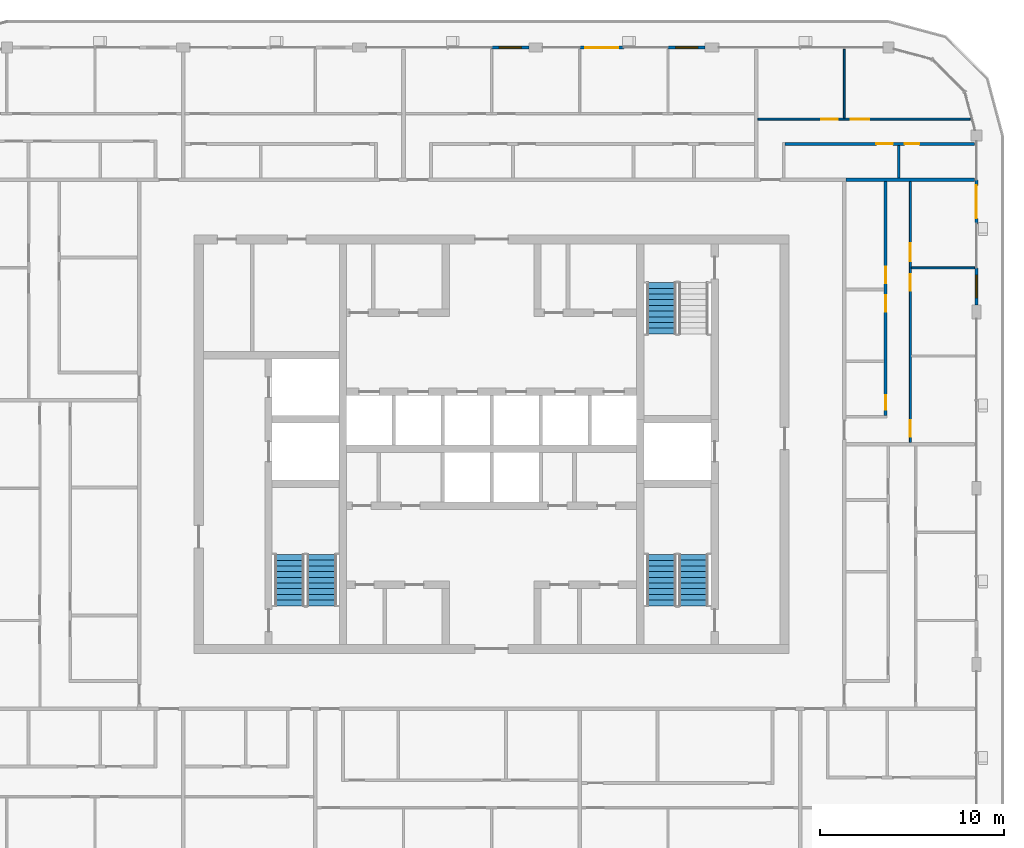
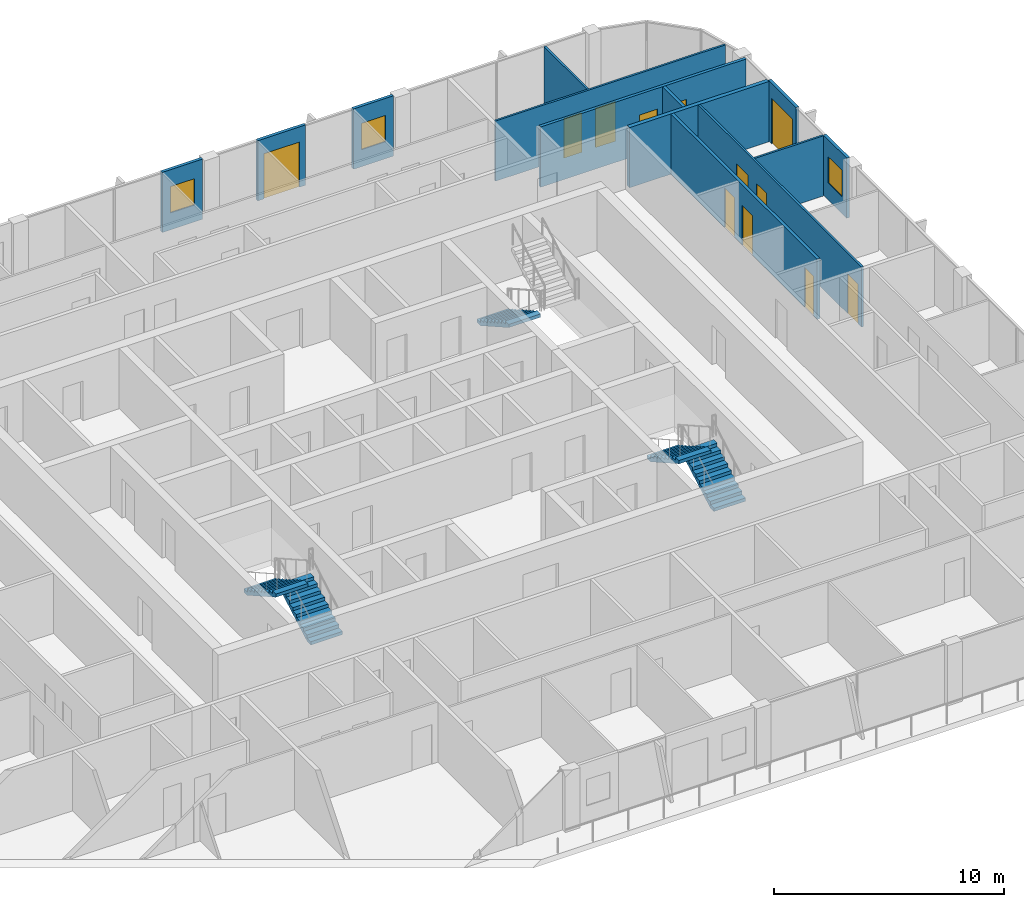
# One storey, part 15 of 22: 13 walls, 12 doors, 5 stair flights, 3 windows, 15 openings, 3 elements without a shape of their own.
"""IFC4 building model written with IfcOpenShell, lengths in metres."""

import ifcopenshell
import ifcopenshell.guid

model = None  # the IFC model being written
_history = None  # IfcOwnerHistory: only IFC2X3 demands one
_inside = {}  # id of a spatial element -> (the spatial element, [elements in it])
_under = {}  # id of a project, library or spatial element -> (it, [spatial elements below it])
_declared = {}  # id of a project -> (the project, [libraries it declares])
_typed = {}  # id of a type object -> (the type object, [elements of that type])
_made_of = {}  # id of a material, layer set ... -> (it, [elements and type objects made of it])


def new_model(schema):
    """Start an empty IFC model of exactly this schema.

    Asked for "IFC4X3", IfcOpenShell would pick the latest addendum, in which some entities
    have other attributes; the version numbers below select the first issue.
    IFC2X3 requires an IfcOwnerHistory on every rooted entity: one is made here for all.
    """
    global model, _history
    if schema == "IFC4X3":
        model = ifcopenshell.file(schema_version=(4, 3, 0, 0))
    else:
        model = ifcopenshell.file(schema=schema)
    _inside.clear()
    _under.clear()
    _declared.clear()
    _typed.clear()
    _made_of.clear()
    _history = None
    if model.schema == "IFC2X3":
        org = make("IfcOrganization", Name="unknown")
        user = make(
            "IfcPersonAndOrganization",
            ThePerson=make("IfcPerson", FamilyName="unknown"),
            TheOrganization=org,
        )
        app = make(
            "IfcApplication",
            ApplicationDeveloper=org,
            Version="unknown",
            ApplicationFullName="unknown",
            ApplicationIdentifier="unknown",
        )
        _history = make(
            "IfcOwnerHistory",
            OwningUser=user,
            OwningApplication=app,
            ChangeAction="ADDED",
            CreationDate=0,
        )
    return model


def make(cls, **values):
    """One entity of the class cls with the attributes given. An attribute that is None is left unset."""
    return model.create_entity(
        cls, **{name: value for name, value in values.items() if value is not None}
    )


def rooted(cls, **values):
    """An entity with a GlobalId (a new one), such as an element, a storey or a relation."""
    return make(cls, GlobalId=ifcopenshell.guid.new(), OwnerHistory=_history, **values)


def si_unit(unit_type, name, prefix=None):
    """IfcSIUnit, for example si_unit("LENGTHUNIT", "METRE", prefix="MILLI")."""
    return make("IfcSIUnit", UnitType=unit_type, Prefix=prefix, Name=name)


def assignment(units):
    """IfcUnitAssignment: the units of a project."""
    return None if units is None else make("IfcUnitAssignment", Units=units)


def point(xyz):
    """IfcCartesianPoint."""
    return None if xyz is None else make("IfcCartesianPoint", Coordinates=xyz)


def direction(xyz):
    """IfcDirection."""
    return None if xyz is None else make("IfcDirection", DirectionRatios=xyz)


def frame(location, z_axis=None, x_axis=None):
    """IfcAxis2Placement3D, a coordinate frame: its origin and axes. An axis left out is left unset."""
    return make(
        "IfcAxis2Placement3D",
        Location=point(location),
        Axis=direction(z_axis),
        RefDirection=direction(x_axis),
    )


def frame_2d(location, x_axis=None):
    """IfcAxis2Placement2D, a coordinate frame in the plane: its origin and x axis."""
    return make(
        "IfcAxis2Placement2D", Location=point(location), RefDirection=direction(x_axis)
    )


def origin():
    """The frame at (0, 0, 0) with its axes left unset."""
    return frame((0.0, 0.0, 0.0))


def place(relative_to, where):
    """IfcLocalPlacement: puts the frame where relative to a parent placement (None: the world)."""
    return make(
        "IfcLocalPlacement", PlacementRelTo=relative_to, RelativePlacement=where
    )


def context(
    kind, dimensions, precision=None, world=None, true_north=None, identifier=None
):
    """IfcGeometricRepresentationContext, for example the 3D "Model" context."""
    return make(
        "IfcGeometricRepresentationContext",
        ContextIdentifier=identifier,
        ContextType=kind,
        CoordinateSpaceDimension=dimensions,
        Precision=precision,
        WorldCoordinateSystem=world,
        TrueNorth=true_north,
    )


def subcontext(parent, identifier, kind, view, scale=None):
    """IfcGeometricRepresentationSubContext, for example "Body" below "Model"."""
    return make(
        "IfcGeometricRepresentationSubContext",
        ContextIdentifier=identifier,
        ContextType=kind,
        ParentContext=parent,
        TargetScale=scale,
        TargetView=view,
    )


def project(units=None, contexts=None):
    """IfcProject with its units and contexts."""
    return rooted(
        "IfcProject",
        Name="project",
        RepresentationContexts=contexts,
        UnitsInContext=assignment(units),
    )


def spatial(cls, under=None, at=None, **own):
    """A site, building, storey or space (cls), placed at a placement, below another one or the project."""
    s = rooted(cls, ObjectPlacement=at, **own)
    if under is not None:
        _under.setdefault(under.id(), (under, []))[1].append(s)
    return s


def polyline(points):
    """IfcPolyline through the points."""
    return make("IfcPolyline", Points=[point(p) for p in points])


def profile(cls, at=None, kind="AREA", **sizes):
    """A parametric profile (cls). Its sizes go by their IFC names, for example OverallWidth=200.0."""
    return make(cls, ProfileType=kind, Position=at, **sizes)


def rectangle(**sizes):
    """IfcRectangleProfileDef."""
    return profile("IfcRectangleProfileDef", **sizes)


def outline(outer, holes=None, kind="AREA"):
    """IfcArbitraryClosedProfileDef: a profile drawn as a closed curve; with holes, ...WithVoids."""
    if holes is None:
        return make("IfcArbitraryClosedProfileDef", ProfileType=kind, OuterCurve=outer)
    return make(
        "IfcArbitraryProfileDefWithVoids",
        ProfileType=kind,
        OuterCurve=outer,
        InnerCurves=holes,
    )


def extrude(swept, where, along, depth):
    """IfcExtrudedAreaSolid: the profile swept, set in the frame where, extruded along a direction by depth."""
    return make(
        "IfcExtrudedAreaSolid",
        SweptArea=swept,
        Position=where,
        ExtrudedDirection=direction(along),
        Depth=depth,
    )


def shape(context_of_items, identifier, shape_type, items):
    """IfcShapeRepresentation: the items that make up one representation, for example the "Body"."""
    return make(
        "IfcShapeRepresentation",
        ContextOfItems=context_of_items,
        RepresentationIdentifier=identifier,
        RepresentationType=shape_type,
        Items=items,
    )


def material(Name=None, Category=None):
    """IfcMaterial."""
    return make("IfcMaterial", Name=Name, Category=Category)


def layer(
    of_material, thickness, ventilated=None, Name=None, Category=None, Priority=None
):
    """IfcMaterialLayer: one layer of a wall or slab, of a material (None: an air gap)."""
    return make(
        "IfcMaterialLayer",
        Material=of_material,
        LayerThickness=thickness,
        IsVentilated=ventilated,
        Name=Name,
        Category=Category,
        Priority=Priority,
    )


def layer_set(layers, Name=None):
    """IfcMaterialLayerSet."""
    return make("IfcMaterialLayerSet", MaterialLayers=layers, LayerSetName=Name)


def made_of(thing, what):
    """Note that an element or type object is made of a material, layer set ...; save() writes the relation."""
    if what is not None:
        _made_of.setdefault(what.id(), (what, []))[1].append(thing)
    return thing


def type_object(cls, material=None, **own):
    """A type object (cls), such as IfcWallType, which elements share."""
    return made_of(rooted(cls, **own), material)


def element(
    cls,
    number,
    at=None,
    inside=None,
    cuts=None,
    type_object=None,
    material=None,
    context=None,
    identifier="Body",
    shape_type=None,
    held_by="IfcProductDefinitionShape",
    body=None,
    shapes=None,
    **own,
):
    """One element of the class cls, such as IfcWall. Its Tag is "e" and its number.

    at: its placement. inside: the storey or other place that contains it. cuts: it is an
    opening in that element (IfcRelVoidsElement). A single representation is given by context,
    identifier, shape_type and body (its items); several are given by shapes. held_by: the class
    of the entity that holds the representations. save() writes the other relations.
    """
    e = rooted(cls, Tag="e%d" % number, ObjectPlacement=at, **own)
    if body is not None:
        shapes = [shape(context, identifier, shape_type, body)]
    if shapes is not None:
        e.Representation = make(held_by, Representations=shapes)
    if inside is not None:
        _inside.setdefault(inside.id(), (inside, []))[1].append(e)
    if cuts is not None:
        rooted(
            "IfcRelVoidsElement", RelatingBuildingElement=cuts, RelatedOpeningElement=e
        )
    if type_object is not None:
        _typed.setdefault(type_object.id(), (type_object, []))[1].append(e)
    return made_of(e, material)


def fill(opening, filler):
    """IfcRelFillsElement: the door or window that sits in an opening."""
    return rooted(
        "IfcRelFillsElement",
        RelatingOpeningElement=opening,
        RelatedBuildingElement=filler,
    )


def aggregate(whole, parts):
    """IfcRelAggregates: a whole, such as a stair, and the parts it consists of."""
    return rooted("IfcRelAggregates", RelatingObject=whole, RelatedObjects=parts)


def save(model, path):
    """Write the relations noted so far, then the file.

    IfcRelAggregates (storeys below a building ...), IfcRelContainedInSpatialStructure (elements
    in a storey), IfcRelDefinesByType, IfcRelAssociatesMaterial and IfcRelDeclares: one each for
    every whole, place, type object, material and project.
    """
    for whole, parts in _under.values():
        aggregate(whole, parts)
    for where, things in _inside.values():
        rooted(
            "IfcRelContainedInSpatialStructure",
            RelatedElements=things,
            RelatingStructure=where,
        )
    for kind, things in _typed.values():
        rooted("IfcRelDefinesByType", RelatedObjects=things, RelatingType=kind)
    for what, things in _made_of.values():
        rooted("IfcRelAssociatesMaterial", RelatedObjects=things, RelatingMaterial=what)
    for by, libraries in _declared.values():
        rooted("IfcRelDeclares", RelatingContext=by, RelatedDefinitions=libraries)
    model.write(path)


model = new_model("IFC4")

# Units and contexts
model_context = context("Model", 3, precision=1e-05, world=origin(), true_north=direction((0.0, 1.0)))
body_context = subcontext(model_context, "Body", "Model", "MODEL_VIEW")
ifc_project = project(units=[si_unit("LENGTHUNIT", "METRE"), si_unit("AREAUNIT", "SQUARE_METRE"), si_unit("VOLUMEUNIT", "CUBIC_METRE"), si_unit("PLANEANGLEUNIT", "RADIAN"), si_unit("MASSUNIT", "GRAM", prefix="KILO")], contexts=[model_context])

# Site, building, storey
site_placement = place(None, origin())
site = spatial("IfcSite", under=ifc_project, at=site_placement, CompositionType="ELEMENT")
building_placement = place(site_placement, origin())
building = spatial("IfcBuilding", under=site, at=building_placement, Name="Madar Terraces", CompositionType="ELEMENT")
storey_placement = place(building_placement, frame((0.0, 0.0, 279.10009765625)))
storey = spatial("IfcBuildingStorey", under=building, at=storey_placement, Name="L73", CompositionType="ELEMENT", Elevation=279.10009765625)

# Wall, opening, window
ifc_material_1 = material(Name="Aluminium composite panel, black, over insulated backing", Category="aluminium")
ifc_layer_1 = layer(ifc_material_1, 0.14990234375)
ifc_layer_set_1 = layer_set([ifc_layer_1], Name="Facade bay panel 150")
wall_type_1 = type_object("IfcWallType", Name="Facade bay panel 150", PredefinedType="SOLIDWALL", material=ifc_layer_set_1)
wall_1_placement = place(storey_placement, frame((57.60009765625, 33.97509765625, 0.0), z_axis=(0.0, 0.0, 1.0), x_axis=(0.0, 1.0, 0.0)))
wall_1 = element("IfcWall", 1, at=wall_1_placement, inside=storey, type_object=wall_type_1, Name="Facade bay panel", PredefinedType="SOLIDWALL", context=body_context, shape_type="SweptSolid", body=[
    extrude(rectangle(XDim=2.02490234375, YDim=0.14990234375, at=frame_2d((1.012451171875, 0.0))), origin(), (0.0, 0.0, 1.0), 3.199951171875),
])
opening_1_placement = place(wall_1_placement, frame((0.41259765625, 0.0, 0.89990234375)))
opening_1 = element("IfcOpeningElement", 2, at=opening_1_placement, cuts=wall_1, Name="Opening W1", PredefinedType="OPENING", context=body_context, shape_type="SweptSolid", body=[
    extrude(rectangle(XDim=1.199951171875, YDim=1.39990234375, at=frame_2d((0.60009765625, 0.699951171875))), frame((0.0, 0.0849609375, 0.0), z_axis=(0.0, -1.0, 0.0), x_axis=(1.0, 0.0, 0.0)), (0.0, 0.0, 1.0), 0.169921875),
])
ifc_material_2 = material(Name="Glass, clear, with black aluminium frame", Category="aluminium")
window_type = type_object("IfcWindowType", Name="Vent window 1200 x 1400", PartitioningType="SINGLE_PANEL", PredefinedType="WINDOW", material=ifc_material_2)
window_1_placement = place(opening_1_placement, origin())
window_1 = element("IfcWindow", 3, at=window_1_placement, inside=storey, type_object=window_type, Name="Operable vent window", OverallHeight=1.39990234375, OverallWidth=1.199951171875, PartitioningType="SINGLE_PANEL", PredefinedType="WINDOW", context=body_context, shape_type="SweptSolid", body=[
    extrude(rectangle(XDim=1.199951171875, YDim=1.39990234375, at=frame_2d((0.60009765625, 0.699951171875))), frame((0.0, 0.030029296875, 0.0), z_axis=(0.0, -1.0, 0.0), x_axis=(1.0, 0.0, 0.0)), (0.0, 0.0, 1.0), 0.06005859375),
])
fill(opening_1, window_1)

# Wall, opening, door
wall_2_placement = place(storey_placement, frame((57.60009765625, 38.39990234375, 0.0), z_axis=(0.0, 0.0, 1.0), x_axis=(0.0, 1.0, 0.0)))
wall_2 = element("IfcWall", 4, at=wall_2_placement, inside=storey, type_object=wall_type_1, Name="Facade bay panel", PredefinedType="SOLIDWALL", context=body_context, shape_type="SweptSolid", body=[
    extrude(rectangle(XDim=2.400146484375, YDim=0.14990234375, at=frame_2d((1.2001953125, 0.0))), origin(), (0.0, 0.0, 1.0), 3.199951171875),
])
opening_2_placement = place(wall_2_placement, frame((0.300048828125, 0.0, 0.0)))
opening_2 = element("IfcOpeningElement", 5, at=opening_2_placement, cuts=wall_2, Name="Opening ED1", PredefinedType="OPENING", context=body_context, shape_type="SweptSolid", body=[
    extrude(rectangle(XDim=1.800048828125, YDim=2.39990234375, at=frame_2d((0.89990234375, 1.199951171875))), frame((0.0, 0.0849609375, 0.0), z_axis=(0.0, -1.0, 0.0), x_axis=(1.0, 0.0, 0.0)), (0.0, 0.0, 1.0), 0.169921875),
])
ifc_material_3 = material(Name="Glass, clear, with black aluminium frame", Category="aluminium")
door_type_1 = type_object("IfcDoorType", Name="Balcony and terrace sliding door 1800 x 2400", OperationType="SLIDING_TO_LEFT", PredefinedType="DOOR", material=ifc_material_3)
door_1_placement = place(opening_2_placement, origin())
door_1 = element("IfcDoor", 6, at=door_1_placement, inside=storey, type_object=door_type_1, Name="Balcony door", OperationType="SLIDING_TO_RIGHT", OverallHeight=2.39990234375, OverallWidth=1.800048828125, PredefinedType="DOOR", context=body_context, shape_type="SweptSolid", body=[
    extrude(rectangle(XDim=1.800048828125, YDim=2.39990234375, at=frame_2d((0.89990234375, 1.199951171875))), frame((0.0, 0.02490234375, 0.0), z_axis=(0.0, -1.0, 0.0), x_axis=(1.0, 0.0, 0.0)), (0.0, 0.0, 1.0), 0.050048828125),
])
fill(opening_2, door_1)

# Wall, opening, window
wall_3_placement = place(storey_placement, frame((42.824951171875, 48.0, 0.0), z_axis=(0.0, 0.0, 1.0), x_axis=(-1.0, 0.0, 0.0)))
wall_3 = element("IfcWall", 7, at=wall_3_placement, inside=storey, type_object=wall_type_1, Name="Facade bay panel", PredefinedType="SOLIDWALL", context=body_context, shape_type="SweptSolid", body=[
    extrude(rectangle(XDim=2.02490234375, YDim=0.14990234375, at=frame_2d((1.012451171875, 0.0))), origin(), (0.0, 0.0, 1.0), 3.199951171875),
])
opening_3_placement = place(wall_3_placement, frame((0.41259765625, 0.0, 0.89990234375)))
opening_3 = element("IfcOpeningElement", 8, at=opening_3_placement, cuts=wall_3, Name="Opening W1", PredefinedType="OPENING", context=body_context, shape_type="SweptSolid", body=[
    extrude(rectangle(XDim=1.199951171875, YDim=1.39990234375, at=frame_2d((0.60009765625, 0.699951171875))), frame((0.0, 0.0849609375, 0.0), z_axis=(0.0, -1.0, 0.0), x_axis=(1.0, 0.0, 0.0)), (0.0, 0.0, 1.0), 0.169921875),
])
window_2_placement = place(opening_3_placement, origin())
window_2 = element("IfcWindow", 9, at=window_2_placement, inside=storey, type_object=window_type, Name="Operable vent window", OverallHeight=1.39990234375, OverallWidth=1.199951171875, PartitioningType="SINGLE_PANEL", PredefinedType="WINDOW", context=body_context, shape_type="SweptSolid", body=[
    extrude(rectangle(XDim=1.199951171875, YDim=1.39990234375, at=frame_2d((0.60009765625, 0.699951171875))), frame((0.0, 0.030029296875, 0.0), z_axis=(0.0, -1.0, 0.0), x_axis=(1.0, 0.0, 0.0)), (0.0, 0.0, 1.0), 0.06005859375),
])
fill(opening_3, window_2)

# Wall, opening, door
wall_4_placement = place(storey_placement, frame((38.39990234375, 48.0, 0.0), z_axis=(0.0, 0.0, 1.0), x_axis=(-1.0, 0.0, 0.0)))
wall_4 = element("IfcWall", 10, at=wall_4_placement, inside=storey, type_object=wall_type_1, Name="Facade bay panel", PredefinedType="SOLIDWALL", context=body_context, shape_type="SweptSolid", body=[
    extrude(rectangle(XDim=2.39990234375, YDim=0.14990234375, at=frame_2d((1.199951171875, 0.0))), origin(), (0.0, 0.0, 1.0), 3.199951171875),
])
opening_4_placement = place(wall_4_placement, frame((0.300048828125, 0.0, 0.0)))
opening_4 = element("IfcOpeningElement", 11, at=opening_4_placement, cuts=wall_4, Name="Opening ED1", PredefinedType="OPENING", context=body_context, shape_type="SweptSolid", body=[
    extrude(rectangle(XDim=1.800048828125, YDim=2.39990234375, at=frame_2d((0.89990234375, 1.199951171875))), frame((0.0, 0.0849609375, 0.0), z_axis=(0.0, -1.0, 0.0), x_axis=(1.0, 0.0, 0.0)), (0.0, 0.0, 1.0), 0.169921875),
])
door_2_placement = place(opening_4_placement, origin())
door_2 = element("IfcDoor", 12, at=door_2_placement, inside=storey, type_object=door_type_1, Name="Balcony door", OperationType="SLIDING_TO_LEFT", OverallHeight=2.39990234375, OverallWidth=1.800048828125, PredefinedType="DOOR", context=body_context, shape_type="SweptSolid", body=[
    extrude(rectangle(XDim=1.800048828125, YDim=2.39990234375, at=frame_2d((0.89990234375, 1.199951171875))), frame((0.0, 0.02490234375, 0.0), z_axis=(0.0, -1.0, 0.0), x_axis=(1.0, 0.0, 0.0)), (0.0, 0.0, 1.0), 0.050048828125),
])
fill(opening_4, door_2)

# Wall, opening, window
wall_5_placement = place(storey_placement, frame((33.22509765625, 48.0, 0.0), z_axis=(0.0, 0.0, 1.0), x_axis=(-1.0, 0.0, 0.0)))
wall_5 = element("IfcWall", 13, at=wall_5_placement, inside=storey, type_object=wall_type_1, Name="Facade bay panel", PredefinedType="SOLIDWALL", context=body_context, shape_type="SweptSolid", body=[
    extrude(rectangle(XDim=2.025146484375, YDim=0.14990234375, at=frame_2d((1.0126953125, 0.0))), origin(), (0.0, 0.0, 1.0), 3.199951171875),
])
opening_5_placement = place(wall_5_placement, frame((0.41259765625, 0.0, 0.89990234375)))
opening_5 = element("IfcOpeningElement", 14, at=opening_5_placement, cuts=wall_5, Name="Opening W1", PredefinedType="OPENING", context=body_context, shape_type="SweptSolid", body=[
    extrude(rectangle(XDim=1.199951171875, YDim=1.39990234375, at=frame_2d((0.60009765625, 0.699951171875))), frame((0.0, 0.0849609375, 0.0), z_axis=(0.0, -1.0, 0.0), x_axis=(1.0, 0.0, 0.0)), (0.0, 0.0, 1.0), 0.169921875),
])
window_3_placement = place(opening_5_placement, origin())
window_3 = element("IfcWindow", 15, at=window_3_placement, inside=storey, type_object=window_type, Name="Operable vent window", OverallHeight=1.39990234375, OverallWidth=1.199951171875, PartitioningType="SINGLE_PANEL", PredefinedType="WINDOW", context=body_context, shape_type="SweptSolid", body=[
    extrude(rectangle(XDim=1.199951171875, YDim=1.39990234375, at=frame_2d((0.60009765625, 0.699951171875))), frame((0.0, 0.030029296875, 0.0), z_axis=(0.0, -1.0, 0.0), x_axis=(1.0, 0.0, 0.0)), (0.0, 0.0, 1.0), 0.06005859375),
])
fill(opening_5, window_3)

# Wall
ifc_material_4 = material(Name="Gypsum board on steel studs", Category="steel")
ifc_layer_2 = layer(ifc_material_4, 0.10009765625)
ifc_layer_set_2 = layer_set([ifc_layer_2], Name="Flat partition 100")
wall_type_2 = type_object("IfcWallType", Name="Flat partition 100", PredefinedType="PARTITIONING", material=ifc_layer_set_2)
wall_6_placement = place(storey_placement, frame((54.050048828125, 36.0, 0.0), z_axis=(0.0, 0.0, 1.0), x_axis=(1.0, 0.0, 0.0)))
element("IfcWall", 16, at=wall_6_placement, inside=storey, type_object=wall_type_2, Name="Flat partition 100", PredefinedType="PARTITIONING", context=body_context, shape_type="SweptSolid", body=[
    extrude(rectangle(XDim=3.449951171875, YDim=0.10009765625, at=frame_2d((1.72509765625, 0.0))), origin(), (0.0, 0.0, 1.0), 3.199951171875),
])

# Wall, openings, doors
wall_7_placement = place(storey_placement, frame((54.0, 40.699951171875, 0.0), z_axis=(0.0, 0.0, 1.0), x_axis=(0.0, -1.0, 0.0)))
wall_7 = element("IfcWall", 17, at=wall_7_placement, inside=storey, type_object=wall_type_2, Name="Flat partition 100", PredefinedType="PARTITIONING", context=body_context, shape_type="SweptSolid", body=[
    extrude(rectangle(XDim=14.199951171875, YDim=0.10009765625, at=frame_2d((7.10009765625, 0.0))), origin(), (0.0, 0.0, 1.0), 3.199951171875),
])
opening_6_placement = place(wall_7_placement, frame((13.0, 0.0, 0.0)))
opening_6 = element("IfcOpeningElement", 18, at=opening_6_placement, cuts=wall_7, Name="Opening D2", PredefinedType="OPENING", context=body_context, shape_type="SweptSolid", body=[
    extrude(rectangle(XDim=0.89990234375, YDim=2.10009765625, at=frame_2d((0.449951171875, 1.050048828125))), frame((0.0, 0.06005859375, 0.0), z_axis=(0.0, -1.0, 0.0), x_axis=(1.0, 0.0, 0.0)), (0.0, 0.0, 1.0), 0.1201171875),
])
opening_7_placement = place(wall_7_placement, frame((5.050048828125, 0.0, 0.0)))
opening_7 = element("IfcOpeningElement", 19, at=opening_7_placement, cuts=wall_7, Name="Opening D2", PredefinedType="OPENING", context=body_context, shape_type="SweptSolid", body=[
    extrude(rectangle(XDim=0.89990234375, YDim=2.10009765625, at=frame_2d((0.449951171875, 1.050048828125))), frame((0.0, 0.06005859375, 0.0), z_axis=(0.0, -1.0, 0.0), x_axis=(1.0, 0.0, 0.0)), (0.0, 0.0, 1.0), 0.1201171875),
])
opening_8_placement = place(wall_7_placement, frame((3.35009765625, 0.0, 0.0)))
opening_8 = element("IfcOpeningElement", 20, at=opening_8_placement, cuts=wall_7, Name="Opening D3", PredefinedType="OPENING", context=body_context, shape_type="SweptSolid", body=[
    extrude(rectangle(XDim=1.0, YDim=2.10009765625, at=frame_2d((0.5, 1.050048828125))), frame((0.0, 0.06005859375, 0.0), z_axis=(0.0, -1.0, 0.0), x_axis=(1.0, 0.0, 0.0)), (0.0, 0.0, 1.0), 0.1201171875),
])
ifc_material_5 = material(Name="Timber door leaf", Category="wood")
door_type_2 = type_object("IfcDoorType", Name="Flat living room door 1000", OperationType="NOTDEFINED", PredefinedType="DOOR", material=ifc_material_5)
door_3_placement = place(opening_8_placement, origin())
door_3 = element("IfcDoor", 21, at=door_3_placement, inside=storey, type_object=door_type_2, Name="Flat living room door 1000", OperationType="SINGLE_SWING_RIGHT", OverallHeight=2.10009765625, OverallWidth=1.0, PredefinedType="DOOR", context=body_context, shape_type="SweptSolid", body=[
    extrude(rectangle(XDim=1.0, YDim=2.10009765625, at=frame_2d((0.5, 1.050048828125))), frame((0.0, 0.02490234375, 0.0), z_axis=(0.0, -1.0, 0.0), x_axis=(1.0, 0.0, 0.0)), (0.0, 0.0, 1.0), 0.050048828125),
])
fill(opening_8, door_3)
ifc_material_6 = material(Name="Timber door leaf", Category="wood")
door_type_3 = type_object("IfcDoorType", Name="Flat room door 900", OperationType="NOTDEFINED", PredefinedType="DOOR", material=ifc_material_6)
door_4_placement = place(opening_6_placement, origin())
door_4 = element("IfcDoor", 22, at=door_4_placement, inside=storey, type_object=door_type_3, Name="Flat room door 900", OperationType="SINGLE_SWING_RIGHT", OverallHeight=2.10009765625, OverallWidth=0.89990234375, PredefinedType="DOOR", context=body_context, shape_type="SweptSolid", body=[
    extrude(rectangle(XDim=0.89990234375, YDim=2.10009765625, at=frame_2d((0.449951171875, 1.050048828125))), frame((0.0, 0.02490234375, 0.0), z_axis=(0.0, -1.0, 0.0), x_axis=(1.0, 0.0, 0.0)), (0.0, 0.0, 1.0), 0.050048828125),
])
fill(opening_6, door_4)
door_5_placement = place(opening_7_placement, origin())
door_5 = element("IfcDoor", 23, at=door_5_placement, inside=storey, type_object=door_type_3, Name="Flat room door 900", OperationType="SINGLE_SWING_LEFT", OverallHeight=2.10009765625, OverallWidth=0.89990234375, PredefinedType="DOOR", context=body_context, shape_type="SweptSolid", body=[
    extrude(rectangle(XDim=0.89990234375, YDim=2.10009765625, at=frame_2d((0.449951171875, 1.050048828125))), frame((0.0, 0.02490234375, 0.0), z_axis=(0.0, -1.0, 0.0), x_axis=(1.0, 0.0, 0.0)), (0.0, 0.0, 1.0), 0.050048828125),
])
fill(opening_7, door_5)

# Wall
wall_8_placement = place(storey_placement, frame((50.39990234375, 44.14990234375, 0.0), z_axis=(0.0, 0.0, 1.0), x_axis=(0.0, 1.0, 0.0)))
element("IfcWall", 24, at=wall_8_placement, inside=storey, type_object=wall_type_2, Name="Flat partition 100", PredefinedType="PARTITIONING", context=body_context, shape_type="SweptSolid", body=[
    extrude(rectangle(XDim=3.75, YDim=0.10009765625, at=frame_2d((1.875, 0.0))), origin(), (0.0, 0.0, 1.0), 3.199951171875),
])

# Wall, openings, doors
wall_9_placement = place(storey_placement, frame((45.699951171875, 44.10009765625, 0.0), z_axis=(0.0, 0.0, 1.0), x_axis=(1.0, 0.0, 0.0)))
wall_9 = element("IfcWall", 25, at=wall_9_placement, inside=storey, type_object=wall_type_2, Name="Flat partition 100", PredefinedType="PARTITIONING", context=body_context, shape_type="SweptSolid", body=[
    extrude(rectangle(XDim=11.558837890625, YDim=0.10009765625, at=frame_2d((5.779296875, 0.0))), origin(), (0.0, 0.0, 1.0), 3.199951171875),
])
opening_9_placement = place(wall_9_placement, frame((3.449951171875, 0.0, 0.0)))
opening_9 = element("IfcOpeningElement", 26, at=opening_9_placement, cuts=wall_9, Name="Opening D2", PredefinedType="OPENING", context=body_context, shape_type="SweptSolid", body=[
    extrude(rectangle(XDim=0.89990234375, YDim=2.10009765625, at=frame_2d((0.449951171875, 1.050048828125))), frame((0.0, 0.06005859375, 0.0), z_axis=(0.0, -1.0, 0.0), x_axis=(1.0, 0.0, 0.0)), (0.0, 0.0, 1.0), 0.1201171875),
])
opening_10_placement = place(wall_9_placement, frame((5.050048828125, 0.0, 0.0)))
opening_10 = element("IfcOpeningElement", 27, at=opening_10_placement, cuts=wall_9, Name="Opening D3", PredefinedType="OPENING", context=body_context, shape_type="SweptSolid", body=[
    extrude(rectangle(XDim=1.0, YDim=2.10009765625, at=frame_2d((0.5, 1.050048828125))), frame((0.0, 0.06005859375, 0.0), z_axis=(0.0, -1.0, 0.0), x_axis=(1.0, 0.0, 0.0)), (0.0, 0.0, 1.0), 0.1201171875),
])
door_6_placement = place(opening_10_placement, origin())
door_6 = element("IfcDoor", 28, at=door_6_placement, inside=storey, type_object=door_type_2, Name="Flat living room door 1000", OperationType="SINGLE_SWING_LEFT", OverallHeight=2.10009765625, OverallWidth=1.0, PredefinedType="DOOR", context=body_context, shape_type="SweptSolid", body=[
    extrude(rectangle(XDim=1.0, YDim=2.10009765625, at=frame_2d((0.5, 1.050048828125))), frame((0.0, 0.02490234375, 0.0), z_axis=(0.0, -1.0, 0.0), x_axis=(1.0, 0.0, 0.0)), (0.0, 0.0, 1.0), 0.050048828125),
])
fill(opening_10, door_6)
door_7_placement = place(opening_9_placement, origin())
door_7 = element("IfcDoor", 29, at=door_7_placement, inside=storey, type_object=door_type_3, Name="Flat room door 900", OperationType="SINGLE_SWING_RIGHT", OverallHeight=2.10009765625, OverallWidth=0.89990234375, PredefinedType="DOOR", context=body_context, shape_type="SweptSolid", body=[
    extrude(rectangle(XDim=0.89990234375, YDim=2.10009765625, at=frame_2d((0.449951171875, 1.050048828125))), frame((0.0, 0.02490234375, 0.0), z_axis=(0.0, -1.0, 0.0), x_axis=(1.0, 0.0, 0.0)), (0.0, 0.0, 1.0), 0.050048828125),
])
fill(opening_9, door_7)

# Wall
ifc_material_7 = material(Name="Lightweight blockwork", Category="masonry")
ifc_layer_3 = layer(ifc_material_7, 0.199951171875)
ifc_layer_set_3 = layer_set([ifc_layer_3], Name="Flat party and entrance wall 200")
wall_type_3 = type_object("IfcWallType", Name="Flat party and entrance wall 200", PredefinedType="PARTITIONING", material=ifc_layer_set_3)
wall_10_placement = place(storey_placement, frame((50.5, 40.800048828125, 0.0), z_axis=(0.0, 0.0, 1.0), x_axis=(1.0, 0.0, 0.0)))
element("IfcWall", 30, at=wall_10_placement, inside=storey, type_object=wall_type_3, Name="Flat party and entrance wall 200", PredefinedType="PARTITIONING", context=body_context, shape_type="SweptSolid", body=[
    extrude(rectangle(XDim=7.0, YDim=0.199951171875, at=frame_2d((3.5, 0.0))), origin(), (0.0, 0.0, 1.0), 3.199951171875),
])

# Wall, openings, doors
ifc_material_8 = material(Name="Lightweight blockwork", Category="masonry")
ifc_layer_4 = layer(ifc_material_8, 0.14990234375)
ifc_layer_set_4 = layer_set([ifc_layer_4], Name="Flat wet-room partition 150")
wall_type_4 = type_object("IfcWallType", Name="Flat wet-room partition 150", PredefinedType="PARTITIONING", material=ifc_layer_set_4)
wall_11_placement = place(storey_placement, frame((52.64990234375, 27.97509765625, 0.0), z_axis=(0.0, 0.0, 1.0), x_axis=(0.0, 1.0, 0.0)))
wall_11 = element("IfcWall", 31, at=wall_11_placement, inside=storey, type_object=wall_type_4, Name="Flat wet-room partition 150", PredefinedType="PARTITIONING", context=body_context, shape_type="SweptSolid", body=[
    extrude(rectangle(XDim=12.724853515625, YDim=0.14990234375, at=frame_2d((6.3623046875, 0.0))), origin(), (0.0, 0.0, 1.0), 3.199951171875),
])
opening_11_placement = place(wall_11_placement, frame((0.300048828125, 0.0, 0.0)))
opening_11 = element("IfcOpeningElement", 32, at=opening_11_placement, cuts=wall_11, Name="Opening D4", PredefinedType="OPENING", context=body_context, shape_type="SweptSolid", body=[
    extrude(rectangle(XDim=0.800048828125, YDim=2.10009765625, at=frame_2d((0.39990234375, 1.050048828125))), frame((0.0, 0.0849609375, 0.0), z_axis=(0.0, -1.0, 0.0), x_axis=(1.0, 0.0, 0.0)), (0.0, 0.0, 1.0), 0.169921875),
])
opening_12_placement = place(wall_11_placement, frame((5.626953125, 0.0, 0.0)))
opening_12 = element("IfcOpeningElement", 33, at=opening_12_placement, cuts=wall_11, Name="Opening D5", PredefinedType="OPENING", context=body_context, shape_type="SweptSolid", body=[
    extrude(rectangle(XDim=0.89990234375, YDim=2.10009765625, at=frame_2d((0.449951171875, 1.050048828125))), frame((0.0, 0.0849609375, 0.0), z_axis=(0.0, -1.0, 0.0), x_axis=(1.0, 0.0, 0.0)), (0.0, 0.0, 1.0), 0.169921875),
])
opening_13_placement = place(wall_11_placement, frame((7.177001953125, 0.0, 0.0)))
opening_13 = element("IfcOpeningElement", 34, at=opening_13_placement, cuts=wall_11, Name="Opening D2", PredefinedType="OPENING", context=body_context, shape_type="SweptSolid", body=[
    extrude(rectangle(XDim=0.89990234375, YDim=2.10009765625, at=frame_2d((0.449951171875, 1.050048828125))), frame((0.0, 0.0849609375, 0.0), z_axis=(0.0, -1.0, 0.0), x_axis=(1.0, 0.0, 0.0)), (0.0, 0.0, 1.0), 0.169921875),
])
ifc_material_9 = material(Name="Timber door leaf", Category="wood")
door_type_4 = type_object("IfcDoorType", Name="Flat accessible bathroom door 900", OperationType="NOTDEFINED", PredefinedType="DOOR", material=ifc_material_9)
door_8_placement = place(opening_12_placement, origin())
door_8 = element("IfcDoor", 35, at=door_8_placement, inside=storey, type_object=door_type_4, Name="Flat accessible bathroom door 900", OperationType="SINGLE_SWING_RIGHT", OverallHeight=2.10009765625, OverallWidth=0.89990234375, PredefinedType="DOOR", context=body_context, shape_type="SweptSolid", body=[
    extrude(rectangle(XDim=0.89990234375, YDim=2.10009765625, at=frame_2d((0.449951171875, 1.050048828125))), frame((0.0, 0.02490234375, 0.0), z_axis=(0.0, -1.0, 0.0), x_axis=(1.0, 0.0, 0.0)), (0.0, 0.0, 1.0), 0.050048828125),
])
fill(opening_12, door_8)
ifc_material_10 = material(Name="Timber door leaf", Category="wood")
door_type_5 = type_object("IfcDoorType", Name="Flat bathroom door 800", OperationType="NOTDEFINED", PredefinedType="DOOR", material=ifc_material_10)
door_9_placement = place(opening_11_placement, origin())
door_9 = element("IfcDoor", 36, at=door_9_placement, inside=storey, type_object=door_type_5, Name="Flat bathroom door 800", OperationType="SINGLE_SWING_LEFT", OverallHeight=2.10009765625, OverallWidth=0.800048828125, PredefinedType="DOOR", context=body_context, shape_type="SweptSolid", body=[
    extrude(rectangle(XDim=0.800048828125, YDim=2.10009765625, at=frame_2d((0.39990234375, 1.050048828125))), frame((0.0, 0.02490234375, 0.0), z_axis=(0.0, -1.0, 0.0), x_axis=(1.0, 0.0, 0.0)), (0.0, 0.0, 1.0), 0.050048828125),
])
fill(opening_11, door_9)
door_10_placement = place(opening_13_placement, origin())
door_10 = element("IfcDoor", 37, at=door_10_placement, inside=storey, type_object=door_type_3, Name="Flat room door 900", OperationType="SINGLE_SWING_LEFT", OverallHeight=2.10009765625, OverallWidth=0.89990234375, PredefinedType="DOOR", context=body_context, shape_type="SweptSolid", body=[
    extrude(rectangle(XDim=0.89990234375, YDim=2.10009765625, at=frame_2d((0.449951171875, 1.050048828125))), frame((0.0, 0.02490234375, 0.0), z_axis=(0.0, -1.0, 0.0), x_axis=(1.0, 0.0, 0.0)), (0.0, 0.0, 1.0), 0.050048828125),
])
fill(opening_13, door_10)

# Wall
wall_12_placement = place(storey_placement, frame((53.3701171875, 40.89990234375, 0.0), z_axis=(0.0, 0.0, 1.0), x_axis=(0.0, 1.0, 0.0)))
element("IfcWall", 38, at=wall_12_placement, inside=storey, type_object=wall_type_4, Name="Flat wet-room partition 150", PredefinedType="PARTITIONING", context=body_context, shape_type="SweptSolid", body=[
    extrude(rectangle(XDim=1.775146484375, YDim=0.14990234375, at=frame_2d((0.8876953125, 0.0))), origin(), (0.0, 0.0, 1.0), 3.199951171875),
])

# Wall, openings, doors
wall_13_placement = place(storey_placement, frame((57.5, 42.75, 0.0), z_axis=(0.0, 0.0, 1.0), x_axis=(-1.0, 0.0, 0.0)))
wall_13 = element("IfcWall", 39, at=wall_13_placement, inside=storey, type_object=wall_type_4, Name="Flat wet-room partition 150", PredefinedType="PARTITIONING", context=body_context, shape_type="SweptSolid", body=[
    extrude(rectangle(XDim=10.324951171875, YDim=0.14990234375, at=frame_2d((5.16259765625, 0.0))), origin(), (0.0, 0.0, 1.0), 3.199951171875),
])
opening_14_placement = place(wall_13_placement, frame((4.455078125, 0.0, 0.0)))
opening_14 = element("IfcOpeningElement", 40, at=opening_14_placement, cuts=wall_13, Name="Opening D2", PredefinedType="OPENING", context=body_context, shape_type="SweptSolid", body=[
    extrude(rectangle(XDim=0.89990234375, YDim=2.10009765625, at=frame_2d((0.449951171875, 1.050048828125))), frame((0.0, 0.0849609375, 0.0), z_axis=(0.0, -1.0, 0.0), x_axis=(1.0, 0.0, 0.0)), (0.0, 0.0, 1.0), 0.169921875),
])
opening_15_placement = place(wall_13_placement, frame((3.0048828125, 0.0, 0.0)))
opening_15 = element("IfcOpeningElement", 41, at=opening_15_placement, cuts=wall_13, Name="Opening D4", PredefinedType="OPENING", context=body_context, shape_type="SweptSolid", body=[
    extrude(rectangle(XDim=0.800048828125, YDim=2.10009765625, at=frame_2d((0.39990234375, 1.050048828125))), frame((0.0, 0.0849609375, 0.0), z_axis=(0.0, -1.0, 0.0), x_axis=(1.0, 0.0, 0.0)), (0.0, 0.0, 1.0), 0.169921875),
])
door_11_placement = place(opening_15_placement, origin())
door_11 = element("IfcDoor", 42, at=door_11_placement, inside=storey, type_object=door_type_5, Name="Flat bathroom door 800", OperationType="SINGLE_SWING_RIGHT", OverallHeight=2.10009765625, OverallWidth=0.800048828125, PredefinedType="DOOR", context=body_context, shape_type="SweptSolid", body=[
    extrude(rectangle(XDim=0.800048828125, YDim=2.10009765625, at=frame_2d((0.39990234375, 1.050048828125))), frame((0.0, 0.02490234375, 0.0), z_axis=(0.0, -1.0, 0.0), x_axis=(1.0, 0.0, 0.0)), (0.0, 0.0, 1.0), 0.050048828125),
])
fill(opening_15, door_11)
door_12_placement = place(opening_14_placement, origin())
door_12 = element("IfcDoor", 43, at=door_12_placement, inside=storey, type_object=door_type_3, Name="Flat room door 900", OperationType="SINGLE_SWING_LEFT", OverallHeight=2.10009765625, OverallWidth=0.89990234375, PredefinedType="DOOR", context=body_context, shape_type="SweptSolid", body=[
    extrude(rectangle(XDim=0.89990234375, YDim=2.10009765625, at=frame_2d((0.449951171875, 1.050048828125))), frame((0.0, 0.02490234375, 0.0), z_axis=(0.0, -1.0, 0.0), x_axis=(1.0, 0.0, 0.0)), (0.0, 0.0, 1.0), 0.050048828125),
])
fill(opening_14, door_12)

# Stair, stair flights
ifc_material_11 = material(Name="Concrete C50/60", Category="concrete")
stair_type_1 = type_object("IfcStairType", Name="Stair ST1 protected exit", PredefinedType="HALF_TURN_STAIR", material=ifc_material_11)
stair_1_placement = place(storey_placement, origin())
stair_1 = element("IfcStair", 44, at=stair_1_placement, inside=storey, type_object=stair_type_1, Name="L73 Protected Exit Stair ST1", PredefinedType="HALF_TURN_STAIR")
ifc_material_12 = material(Name="Concrete C50/60", Category="concrete")
stair_flight_type_1 = type_object("IfcStairFlightType", Name="Stair flight ST1-F4, 1600 wide, 10 risers", PredefinedType="STRAIGHT", material=ifc_material_12)
stair_flight_1_placement = place(storey_placement, frame((21.949951171875, 17.60009765625, 0.0), z_axis=(0.0, 0.0, 1.0), x_axis=(0.0, 1.0, 0.0)))
stair_flight_1 = element("IfcStairFlight", 45, at=stair_flight_1_placement, type_object=stair_flight_type_1, Name="ST1 flight 1", NumberOfRisers=10, NumberOfTreads=9, PredefinedType="STRAIGHT", RiserHeight=0.175, TreadLength=0.31, context=body_context, shape_type="SweptSolid", body=[
    extrude(outline(polyline([(0.0, 0.0), (0.0, 0.175048828125), (0.31005859375, 0.175048828125), (0.31005859375, 0.35009765625), (0.6201171875, 0.35009765625), (0.6201171875, 0.52490234375), (0.929931640625, 0.52490234375), (0.929931640625, 0.699951171875), (1.239990234375, 0.699951171875), (1.239990234375, 0.875), (1.550048828125, 0.875), (1.550048828125, 1.050048828125), (1.860107421875, 1.050048828125), (1.860107421875, 1.22509765625), (2.169921875, 1.22509765625), (2.169921875, 1.39990234375), (2.47998046875, 1.39990234375), (2.47998046875, 1.574951171875), (2.7900390625, 1.574951171875), (2.7900390625, 1.75), (2.7900390625, 1.40283203125), (0.304931640625, 0.0), (0.0, 0.0)])), frame((0.0, 0.800048828125, 0.0), z_axis=(0.0, -1.0, 0.0), x_axis=(1.0, 0.0, 0.0)), (0.0, 0.0, 1.0), 1.60009765625),
])
stair_flight_2_placement = place(storey_placement, frame((20.199951171875, 20.389892578125, 1.75), z_axis=(0.0, 0.0, 1.0), x_axis=(0.0, -1.0, 0.0)))
stair_flight_2 = element("IfcStairFlight", 46, at=stair_flight_2_placement, type_object=stair_flight_type_1, Name="ST1 flight 2", NumberOfRisers=10, NumberOfTreads=9, PredefinedType="STRAIGHT", RiserHeight=0.175, TreadLength=0.31, context=body_context, shape_type="SweptSolid", body=[
    extrude(outline(polyline([(0.0, 0.0), (0.0, 0.175048828125), (0.31005859375, 0.175048828125), (0.31005859375, 0.35009765625), (0.6201171875, 0.35009765625), (0.6201171875, 0.52490234375), (0.929931640625, 0.52490234375), (0.929931640625, 0.699951171875), (1.239990234375, 0.699951171875), (1.239990234375, 0.875), (1.550048828125, 0.875), (1.550048828125, 1.050048828125), (1.860107421875, 1.050048828125), (1.860107421875, 1.22509765625), (2.169921875, 1.22509765625), (2.169921875, 1.39990234375), (2.47998046875, 1.39990234375), (2.47998046875, 1.574951171875), (2.7900390625, 1.574951171875), (2.7900390625, 1.75), (2.7900390625, 1.40283203125), (0.304931640625, 0.0), (0.0, 0.0)])), frame((0.0, 0.800048828125, 0.0), z_axis=(0.0, -1.0, 0.0), x_axis=(1.0, 0.0, 0.0)), (0.0, 0.0, 1.0), 1.60009765625),
])
aggregate(stair_1, [stair_flight_1, stair_flight_2])

# Stair, stair flight
ifc_material_13 = material(Name="Concrete C50/60", Category="concrete")
stair_type_2 = type_object("IfcStairType", Name="Stair ST2 protected exit", PredefinedType="HALF_TURN_STAIR", material=ifc_material_13)
stair_2_placement = place(storey_placement, origin())
stair_2 = element("IfcStair", 47, at=stair_2_placement, inside=storey, type_object=stair_type_2, Name="L73 Protected Exit Stair ST2", PredefinedType="HALF_TURN_STAIR")
ifc_material_14 = material(Name="Concrete C50/60", Category="concrete")
stair_flight_type_2 = type_object("IfcStairFlightType", Name="Stair flight ST2-F4, 1600 wide, 10 risers", PredefinedType="STRAIGHT", material=ifc_material_14)
stair_flight_3_placement = place(storey_placement, frame((40.449951171875, 35.199951171875, 0.0), z_axis=(0.0, 0.0, 1.0), x_axis=(0.0, -1.0, 0.0)))
stair_flight_3 = element("IfcStairFlight", 48, at=stair_flight_3_placement, type_object=stair_flight_type_2, Name="ST2 flight 1", NumberOfRisers=10, NumberOfTreads=9, PredefinedType="STRAIGHT", RiserHeight=0.175, TreadLength=0.31, context=body_context, shape_type="SweptSolid", body=[
    extrude(outline(polyline([(0.0, 0.0), (0.0, 0.175048828125), (0.31005859375, 0.175048828125), (0.31005859375, 0.35009765625), (0.6201171875, 0.35009765625), (0.6201171875, 0.52490234375), (0.929931640625, 0.52490234375), (0.929931640625, 0.699951171875), (1.239990234375, 0.699951171875), (1.239990234375, 0.875), (1.550048828125, 0.875), (1.550048828125, 1.050048828125), (1.860107421875, 1.050048828125), (1.860107421875, 1.22509765625), (2.169921875, 1.22509765625), (2.169921875, 1.39990234375), (2.47998046875, 1.39990234375), (2.47998046875, 1.574951171875), (2.7900390625, 1.574951171875), (2.7900390625, 1.75), (2.7900390625, 1.40283203125), (0.304931640625, 0.0), (0.0, 0.0)])), frame((0.0, 0.800048828125, 0.0), z_axis=(0.0, -1.0, 0.0), x_axis=(1.0, 0.0, 0.0)), (0.0, 0.0, 1.0), 1.60009765625),
])
aggregate(stair_2, [stair_flight_3])

# Stair, stair flights
ifc_material_15 = material(Name="Concrete C50/60", Category="concrete")
stair_type_3 = type_object("IfcStairType", Name="Stair ST3 protected exit", PredefinedType="HALF_TURN_STAIR", material=ifc_material_15)
stair_3_placement = place(storey_placement, origin())
stair_3 = element("IfcStair", 49, at=stair_3_placement, inside=storey, type_object=stair_type_3, Name="L73 Protected Exit Stair ST3", PredefinedType="HALF_TURN_STAIR")
ifc_material_16 = material(Name="Concrete C50/60", Category="concrete")
stair_flight_type_3 = type_object("IfcStairFlightType", Name="Stair flight ST3-F4, 1600 wide, 10 risers", PredefinedType="STRAIGHT", material=ifc_material_16)
stair_flight_4_placement = place(storey_placement, frame((42.199951171875, 17.60009765625, 0.0), z_axis=(0.0, 0.0, 1.0), x_axis=(0.0, 1.0, 0.0)))
stair_flight_4 = element("IfcStairFlight", 50, at=stair_flight_4_placement, type_object=stair_flight_type_3, Name="ST3 flight 1", NumberOfRisers=10, NumberOfTreads=9, PredefinedType="STRAIGHT", RiserHeight=0.175, TreadLength=0.31, context=body_context, shape_type="SweptSolid", body=[
    extrude(outline(polyline([(0.0, 0.0), (0.0, 0.175048828125), (0.31005859375, 0.175048828125), (0.31005859375, 0.35009765625), (0.6201171875, 0.35009765625), (0.6201171875, 0.52490234375), (0.929931640625, 0.52490234375), (0.929931640625, 0.699951171875), (1.239990234375, 0.699951171875), (1.239990234375, 0.875), (1.550048828125, 0.875), (1.550048828125, 1.050048828125), (1.860107421875, 1.050048828125), (1.860107421875, 1.22509765625), (2.169921875, 1.22509765625), (2.169921875, 1.39990234375), (2.47998046875, 1.39990234375), (2.47998046875, 1.574951171875), (2.7900390625, 1.574951171875), (2.7900390625, 1.75), (2.7900390625, 1.40283203125), (0.304931640625, 0.0), (0.0, 0.0)])), frame((0.0, 0.800048828125, 0.0), z_axis=(0.0, -1.0, 0.0), x_axis=(1.0, 0.0, 0.0)), (0.0, 0.0, 1.0), 1.60009765625),
])
stair_flight_5_placement = place(storey_placement, frame((40.449951171875, 20.389892578125, 1.75), z_axis=(0.0, 0.0, 1.0), x_axis=(0.0, -1.0, 0.0)))
stair_flight_5 = element("IfcStairFlight", 51, at=stair_flight_5_placement, type_object=stair_flight_type_3, Name="ST3 flight 2", NumberOfRisers=10, NumberOfTreads=9, PredefinedType="STRAIGHT", RiserHeight=0.175, TreadLength=0.31, context=body_context, shape_type="SweptSolid", body=[
    extrude(outline(polyline([(0.0, 0.0), (0.0, 0.175048828125), (0.31005859375, 0.175048828125), (0.31005859375, 0.35009765625), (0.6201171875, 0.35009765625), (0.6201171875, 0.52490234375), (0.929931640625, 0.52490234375), (0.929931640625, 0.699951171875), (1.239990234375, 0.699951171875), (1.239990234375, 0.875), (1.550048828125, 0.875), (1.550048828125, 1.050048828125), (1.860107421875, 1.050048828125), (1.860107421875, 1.22509765625), (2.169921875, 1.22509765625), (2.169921875, 1.39990234375), (2.47998046875, 1.39990234375), (2.47998046875, 1.574951171875), (2.7900390625, 1.574951171875), (2.7900390625, 1.75), (2.7900390625, 1.40283203125), (0.304931640625, 0.0), (0.0, 0.0)])), frame((0.0, 0.800048828125, 0.0), z_axis=(0.0, -1.0, 0.0), x_axis=(1.0, 0.0, 0.0)), (0.0, 0.0, 1.0), 1.60009765625),
])
aggregate(stair_3, [stair_flight_4, stair_flight_5])

save(model, "model.ifc")
